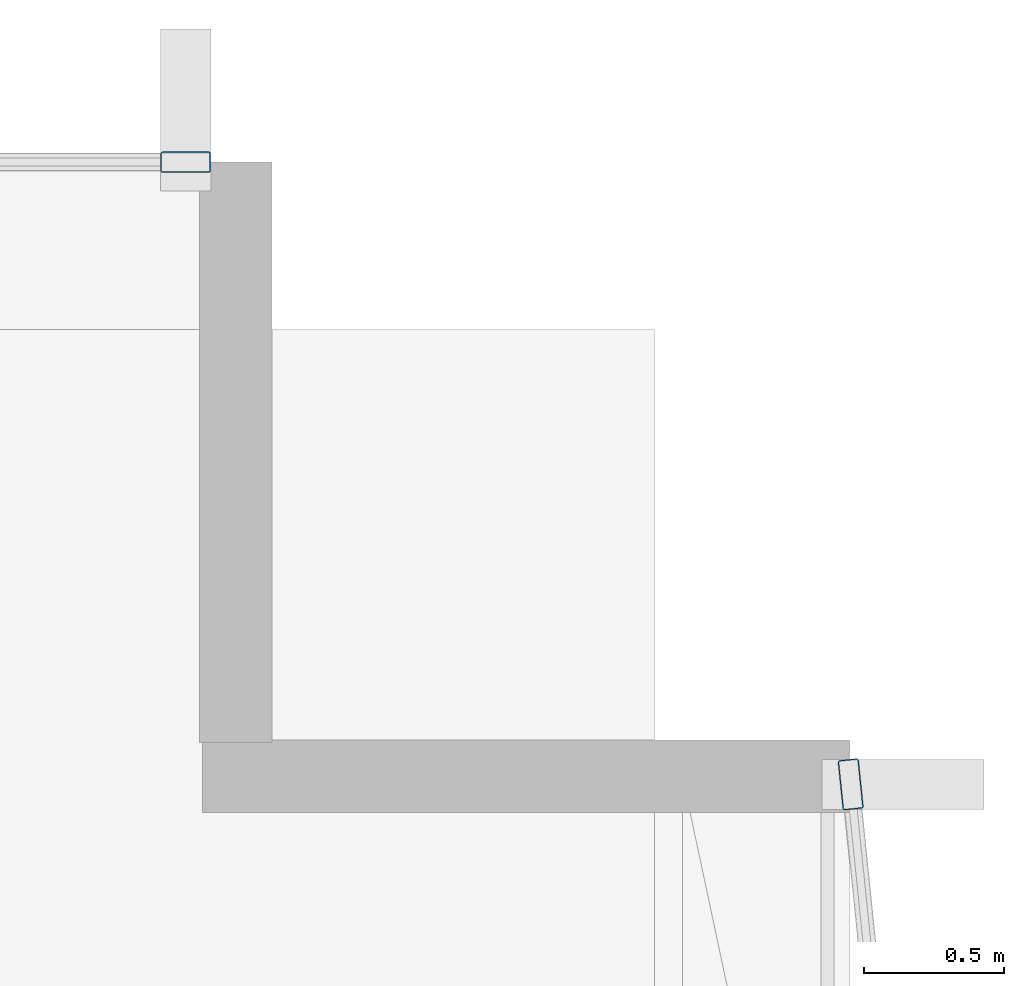
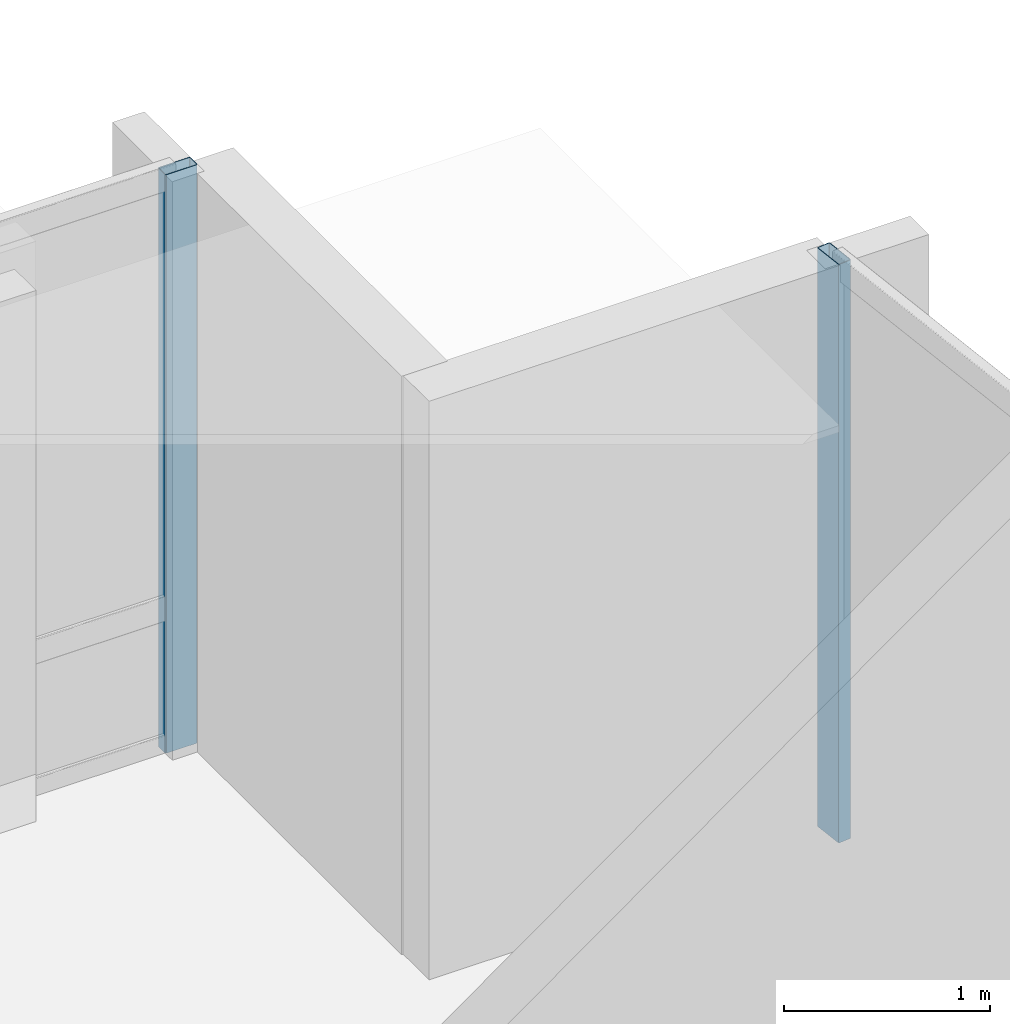
# One storey, part 17 of 34: 2 members, 2 elements without a shape of their own.
"""IFC4 building model written with IfcOpenShell, lengths in metres."""

from ifc_helpers import new_model, si_unit, direction, frame, origin, origin_2d, place, context, subcontext, project, spatial, hollow_rectangle, extrude, material, layer, layer_set, material_profile, profile_set, type_object, element, aggregate, save


model = new_model("IFC4")

# Units and contexts
model_context = context("Model", 3, precision=1e-05, world=origin(), true_north=direction((0.0, 1.0)))
body_context = subcontext(model_context, "Body", "Model", "MODEL_VIEW")
ifc_project = project(units=[si_unit("LENGTHUNIT", "METRE"), si_unit("AREAUNIT", "SQUARE_METRE"), si_unit("VOLUMEUNIT", "CUBIC_METRE"), si_unit("PLANEANGLEUNIT", "RADIAN"), si_unit("MASSUNIT", "GRAM", prefix="KILO")], contexts=[model_context])

# Site, building, storey
site_placement = place(None, origin())
site = spatial("IfcSite", under=ifc_project, at=site_placement, CompositionType="ELEMENT")
building_placement = place(site_placement, origin())
building = spatial("IfcBuilding", under=site, at=building_placement, Name="Solvaryn Broadcast Tower", CompositionType="ELEMENT")
storey_placement = place(building_placement, frame((0.0, 0.0, 89.10009765625)))
storey = spatial("IfcBuildingStorey", under=building, at=storey_placement, Name="L21", CompositionType="ELEMENT", Elevation=89.10009765625)

# Curtain wall, member
ifc_material_1 = material(Name="Aluminium and Terracotta Unitised Curtain Wall", Category="masonry")
ifc_layer = layer(ifc_material_1, 0.199951171875)
ifc_layer_set = layer_set([ifc_layer], Name="CW-SYS2-LOWMID")
curtain_wall_type = type_object("IfcCurtainWallType", Name="CW-SYS2-LOWMID", PredefinedType="NOTDEFINED", material=ifc_layer_set)
curtain_wall_1_placement = place(storey_placement, origin())
curtain_wall_1 = element("IfcCurtainWall", 1, at=curtain_wall_1_placement, inside=storey, type_object=curtain_wall_type, Name="L21 Curtain Wall ET1", PredefinedType="NOTDEFINED")
ifc_material_2 = material(Name="Anodised Aluminium 6063-T6", Category="aluminium")
ifc_material_profile = material_profile(ifc_material_2, hollow_rectangle(XDim=0.074951171875, YDim=0.179931640625, WallThickness=0.00390625, InnerFilletRadius=0.00390625, OuterFilletRadius=0.008056640625, at=origin_2d()))
ifc_profile_set = profile_set([ifc_material_profile], Name="Anodised Aluminium 6063-T6")
member_type = type_object("IfcMemberType", Name="CW-MUL-180", PredefinedType="MULLION", material=ifc_profile_set)
member_1_placement = place(storey_placement, frame((63.003173828125, 24.770263671875, 0.0), z_axis=(0.0, 0.0, 1.0), x_axis=(0.99474329889, 0.10240004548, 0.0)))
member_1 = element("IfcMember", 2, at=member_1_placement, type_object=member_type, Name="CWS2 mullion 1", PredefinedType="MULLION", context=body_context, shape_type="SweptSolid", body=[
    extrude(hollow_rectangle(XDim=0.074951171875, YDim=0.179931640625, WallThickness=0.00390625, InnerFilletRadius=0.00390625, OuterFilletRadius=0.008056640625, at=origin_2d()), origin(), (0.0, 0.0, 1.0), 3.419921875),
])
aggregate(curtain_wall_1, [member_1])

curtain_wall_2_placement = place(storey_placement, origin())
curtain_wall_2 = element("IfcCurtainWall", 3, at=curtain_wall_2_placement, inside=storey, type_object=curtain_wall_type, Name="L21 Curtain Wall IH", PredefinedType="NOTDEFINED")
member_2_placement = place(storey_placement, frame((60.6201171875, 27.0, 0.0), z_axis=(0.0, 0.0, 1.0), x_axis=(0.0, 1.0, 0.0)))
member_2 = element("IfcMember", 4, at=member_2_placement, type_object=member_type, Name="CWS2 mullion 2", PredefinedType="MULLION", context=body_context, shape_type="SweptSolid", body=[
    extrude(hollow_rectangle(XDim=0.074951171875, YDim=0.179931640625, WallThickness=0.00390625, InnerFilletRadius=0.00390625, OuterFilletRadius=0.008056640625, at=origin_2d()), origin(), (0.0, 0.0, 1.0), 3.419921875),
])
aggregate(curtain_wall_2, [member_2])

save(model, "model.ifc")
